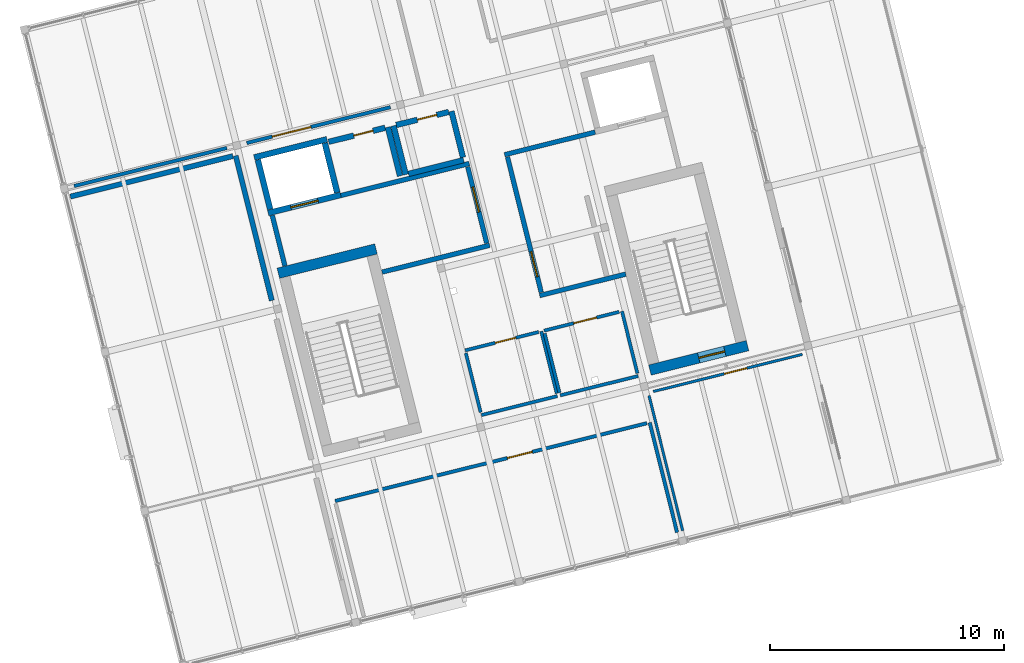
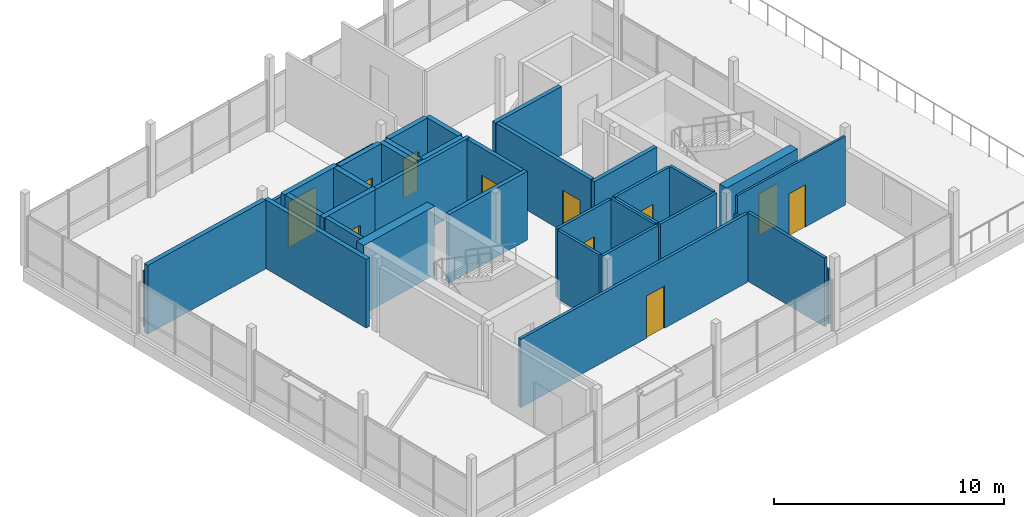
# One storey, part 22 of 24: 35 walls, 11 doors, 11 openings.
"""IFC4 building model written with IfcOpenShell, lengths in metres."""

import ifcopenshell
import ifcopenshell.guid

model = None  # the IFC model being written
_history = None  # IfcOwnerHistory: only IFC2X3 demands one
_inside = {}  # id of a spatial element -> (the spatial element, [elements in it])
_under = {}  # id of a project, library or spatial element -> (it, [spatial elements below it])
_declared = {}  # id of a project -> (the project, [libraries it declares])
_typed = {}  # id of a type object -> (the type object, [elements of that type])
_made_of = {}  # id of a material, layer set ... -> (it, [elements and type objects made of it])


def new_model(schema):
    """Start an empty IFC model of exactly this schema.

    Asked for "IFC4X3", IfcOpenShell would pick the latest addendum, in which some entities
    have other attributes; the version numbers below select the first issue.
    IFC2X3 requires an IfcOwnerHistory on every rooted entity: one is made here for all.
    """
    global model, _history
    if schema == "IFC4X3":
        model = ifcopenshell.file(schema_version=(4, 3, 0, 0))
    else:
        model = ifcopenshell.file(schema=schema)
    _inside.clear()
    _under.clear()
    _declared.clear()
    _typed.clear()
    _made_of.clear()
    _history = None
    if model.schema == "IFC2X3":
        org = make("IfcOrganization", Name="unknown")
        user = make(
            "IfcPersonAndOrganization",
            ThePerson=make("IfcPerson", FamilyName="unknown"),
            TheOrganization=org,
        )
        app = make(
            "IfcApplication",
            ApplicationDeveloper=org,
            Version="unknown",
            ApplicationFullName="unknown",
            ApplicationIdentifier="unknown",
        )
        _history = make(
            "IfcOwnerHistory",
            OwningUser=user,
            OwningApplication=app,
            ChangeAction="ADDED",
            CreationDate=0,
        )
    return model


def make(cls, **values):
    """One entity of the class cls with the attributes given. An attribute that is None is left unset."""
    return model.create_entity(
        cls, **{name: value for name, value in values.items() if value is not None}
    )


def rooted(cls, **values):
    """An entity with a GlobalId (a new one), such as an element, a storey or a relation."""
    return make(cls, GlobalId=ifcopenshell.guid.new(), OwnerHistory=_history, **values)


def si_unit(unit_type, name, prefix=None):
    """IfcSIUnit, for example si_unit("LENGTHUNIT", "METRE", prefix="MILLI")."""
    return make("IfcSIUnit", UnitType=unit_type, Prefix=prefix, Name=name)


def assignment(units):
    """IfcUnitAssignment: the units of a project."""
    return None if units is None else make("IfcUnitAssignment", Units=units)


def point(xyz):
    """IfcCartesianPoint."""
    return None if xyz is None else make("IfcCartesianPoint", Coordinates=xyz)


def direction(xyz):
    """IfcDirection."""
    return None if xyz is None else make("IfcDirection", DirectionRatios=xyz)


def frame(location, z_axis=None, x_axis=None):
    """IfcAxis2Placement3D, a coordinate frame: its origin and axes. An axis left out is left unset."""
    return make(
        "IfcAxis2Placement3D",
        Location=point(location),
        Axis=direction(z_axis),
        RefDirection=direction(x_axis),
    )


def frame_2d(location, x_axis=None):
    """IfcAxis2Placement2D, a coordinate frame in the plane: its origin and x axis."""
    return make(
        "IfcAxis2Placement2D", Location=point(location), RefDirection=direction(x_axis)
    )


def origin():
    """The frame at (0, 0, 0) with its axes left unset."""
    return frame((0.0, 0.0, 0.0))


def place(relative_to, where):
    """IfcLocalPlacement: puts the frame where relative to a parent placement (None: the world)."""
    return make(
        "IfcLocalPlacement", PlacementRelTo=relative_to, RelativePlacement=where
    )


def context(
    kind, dimensions, precision=None, world=None, true_north=None, identifier=None
):
    """IfcGeometricRepresentationContext, for example the 3D "Model" context."""
    return make(
        "IfcGeometricRepresentationContext",
        ContextIdentifier=identifier,
        ContextType=kind,
        CoordinateSpaceDimension=dimensions,
        Precision=precision,
        WorldCoordinateSystem=world,
        TrueNorth=true_north,
    )


def subcontext(parent, identifier, kind, view, scale=None):
    """IfcGeometricRepresentationSubContext, for example "Body" below "Model"."""
    return make(
        "IfcGeometricRepresentationSubContext",
        ContextIdentifier=identifier,
        ContextType=kind,
        ParentContext=parent,
        TargetScale=scale,
        TargetView=view,
    )


def project(units=None, contexts=None):
    """IfcProject with its units and contexts."""
    return rooted(
        "IfcProject",
        Name="project",
        RepresentationContexts=contexts,
        UnitsInContext=assignment(units),
    )


def spatial(cls, under=None, at=None, **own):
    """A site, building, storey or space (cls), placed at a placement, below another one or the project."""
    s = rooted(cls, ObjectPlacement=at, **own)
    if under is not None:
        _under.setdefault(under.id(), (under, []))[1].append(s)
    return s


def profile(cls, at=None, kind="AREA", **sizes):
    """A parametric profile (cls). Its sizes go by their IFC names, for example OverallWidth=200.0."""
    return make(cls, ProfileType=kind, Position=at, **sizes)


def rectangle(**sizes):
    """IfcRectangleProfileDef."""
    return profile("IfcRectangleProfileDef", **sizes)


def extrude(swept, where, along, depth):
    """IfcExtrudedAreaSolid: the profile swept, set in the frame where, extruded along a direction by depth."""
    return make(
        "IfcExtrudedAreaSolid",
        SweptArea=swept,
        Position=where,
        ExtrudedDirection=direction(along),
        Depth=depth,
    )


def shape(context_of_items, identifier, shape_type, items):
    """IfcShapeRepresentation: the items that make up one representation, for example the "Body"."""
    return make(
        "IfcShapeRepresentation",
        ContextOfItems=context_of_items,
        RepresentationIdentifier=identifier,
        RepresentationType=shape_type,
        Items=items,
    )


def material(Name=None, Category=None):
    """IfcMaterial."""
    return make("IfcMaterial", Name=Name, Category=Category)


def layer(
    of_material, thickness, ventilated=None, Name=None, Category=None, Priority=None
):
    """IfcMaterialLayer: one layer of a wall or slab, of a material (None: an air gap)."""
    return make(
        "IfcMaterialLayer",
        Material=of_material,
        LayerThickness=thickness,
        IsVentilated=ventilated,
        Name=Name,
        Category=Category,
        Priority=Priority,
    )


def layer_set(layers, Name=None):
    """IfcMaterialLayerSet."""
    return make("IfcMaterialLayerSet", MaterialLayers=layers, LayerSetName=Name)


def made_of(thing, what):
    """Note that an element or type object is made of a material, layer set ...; save() writes the relation."""
    if what is not None:
        _made_of.setdefault(what.id(), (what, []))[1].append(thing)
    return thing


def type_object(cls, material=None, **own):
    """A type object (cls), such as IfcWallType, which elements share."""
    return made_of(rooted(cls, **own), material)


def element(
    cls,
    number,
    at=None,
    inside=None,
    cuts=None,
    type_object=None,
    material=None,
    context=None,
    identifier="Body",
    shape_type=None,
    held_by="IfcProductDefinitionShape",
    body=None,
    shapes=None,
    **own,
):
    """One element of the class cls, such as IfcWall. Its Tag is "e" and its number.

    at: its placement. inside: the storey or other place that contains it. cuts: it is an
    opening in that element (IfcRelVoidsElement). A single representation is given by context,
    identifier, shape_type and body (its items); several are given by shapes. held_by: the class
    of the entity that holds the representations. save() writes the other relations.
    """
    e = rooted(cls, Tag="e%d" % number, ObjectPlacement=at, **own)
    if body is not None:
        shapes = [shape(context, identifier, shape_type, body)]
    if shapes is not None:
        e.Representation = make(held_by, Representations=shapes)
    if inside is not None:
        _inside.setdefault(inside.id(), (inside, []))[1].append(e)
    if cuts is not None:
        rooted(
            "IfcRelVoidsElement", RelatingBuildingElement=cuts, RelatedOpeningElement=e
        )
    if type_object is not None:
        _typed.setdefault(type_object.id(), (type_object, []))[1].append(e)
    return made_of(e, material)


def fill(opening, filler):
    """IfcRelFillsElement: the door or window that sits in an opening."""
    return rooted(
        "IfcRelFillsElement",
        RelatingOpeningElement=opening,
        RelatedBuildingElement=filler,
    )


def aggregate(whole, parts):
    """IfcRelAggregates: a whole, such as a stair, and the parts it consists of."""
    return rooted("IfcRelAggregates", RelatingObject=whole, RelatedObjects=parts)


def save(model, path):
    """Write the relations noted so far, then the file.

    IfcRelAggregates (storeys below a building ...), IfcRelContainedInSpatialStructure (elements
    in a storey), IfcRelDefinesByType, IfcRelAssociatesMaterial and IfcRelDeclares: one each for
    every whole, place, type object, material and project.
    """
    for whole, parts in _under.values():
        aggregate(whole, parts)
    for where, things in _inside.values():
        rooted(
            "IfcRelContainedInSpatialStructure",
            RelatedElements=things,
            RelatingStructure=where,
        )
    for kind, things in _typed.values():
        rooted("IfcRelDefinesByType", RelatedObjects=things, RelatingType=kind)
    for what, things in _made_of.values():
        rooted("IfcRelAssociatesMaterial", RelatedObjects=things, RelatingMaterial=what)
    for by, libraries in _declared.values():
        rooted("IfcRelDeclares", RelatingContext=by, RelatedDefinitions=libraries)
    model.write(path)


model = new_model("IFC4")

# Units and contexts
model_context = context("Model", 3, precision=1e-05, world=origin(), true_north=direction((0.0, 1.0)))
body_context = subcontext(model_context, "Body", "Model", "MODEL_VIEW")
ifc_project = project(units=[si_unit("LENGTHUNIT", "METRE"), si_unit("AREAUNIT", "SQUARE_METRE"), si_unit("VOLUMEUNIT", "CUBIC_METRE"), si_unit("PLANEANGLEUNIT", "RADIAN"), si_unit("MASSUNIT", "GRAM", prefix="KILO")], contexts=[model_context])

# Site, building, storey
site_placement = place(None, origin())
site = spatial("IfcSite", under=ifc_project, at=site_placement, CompositionType="ELEMENT")
building_placement = place(site_placement, origin())
building = spatial("IfcBuilding", under=site, at=building_placement, Name="Meriwether Solvik Hall", CompositionType="ELEMENT")
storey_placement = place(building_placement, frame((0.0, 0.0, 57.300048828125)))
storey = spatial("IfcBuildingStorey", under=building, at=storey_placement, Name="L14", CompositionType="ELEMENT", Elevation=57.300048828125)

# Walls
ifc_material_1 = material(Name="Acoustic Mineral-Wool Double Gypsum Board", Category="gypsum")
ifc_layer_1 = layer(ifc_material_1, 0.219970703125)
ifc_layer_set_1 = layer_set([ifc_layer_1], Name="Acoustic Mineral-Wool Double Gypsum Board")
wall_type_1 = type_object("IfcWallType", Name="WALL-ACST-220", PredefinedType="PARTITIONING", material=ifc_layer_set_1)
wall_1_placement = place(storey_placement, frame((72.39013671875, 56.793701171875, 0.0), z_axis=(0.0, 0.0, 1.0), x_axis=(-0.241922822951, 0.970295495061, 0.0)))
element("IfcWall", 1, at=wall_1_placement, inside=storey, type_object=wall_type_1, Name="L14 Interior Partition board_14_e_s3", PredefinedType="PARTITIONING", context=body_context, shape_type="SweptSolid", body=[
    extrude(rectangle(XDim=6.375, YDim=0.219970703125, at=frame_2d((3.1875, 0.0))), origin(), (0.0, 0.0, 1.0), 3.655029296875),
])
wall_2_placement = place(storey_placement, frame((70.728759765625, 62.96142578125, 0.0), z_axis=(0.0, 0.0, 1.0), x_axis=(-0.970292920146, -0.241933150092, 0.0)))
element("IfcWall", 2, at=wall_2_placement, inside=storey, type_object=wall_type_1, Name="L14 Interior Partition board_14_n", PredefinedType="PARTITIONING", context=body_context, shape_type="SweptSolid", body=[
    extrude(rectangle(XDim=7.151611328125, YDim=0.219970703125, at=frame_2d((3.57568359375, 0.0))), origin(), (0.0, 0.0, 1.0), 3.655029296875),
])
ifc_material_2 = material(Name="Fire-Rated Type X Gypsum Board", Category="gypsum")
ifc_layer_2 = layer(ifc_material_2, 0.199951171875)
ifc_layer_set_2 = layer_set([ifc_layer_2], Name="Fire-Rated Type X Gypsum Board")
wall_type_2 = type_object("IfcWallType", Name="WALL-FIRE-200", PredefinedType="STANDARD", material=ifc_layer_set_2)
wall_3_placement = place(storey_placement, frame((72.94970703125, 58.269287109375, 0.0), z_axis=(0.0, 0.0, 1.0), x_axis=(-0.24194311862, 0.970290434536, 0.0)))
element("IfcWall", 3, at=wall_3_placement, inside=storey, type_object=wall_type_2, Name="L14 Interior Partition lb1_w", PredefinedType="STANDARD", context=body_context, shape_type="SweptSolid", body=[
    extrude(rectangle(XDim=2.22998046875, YDim=0.199951171875, at=frame_2d((1.114990234375, 0.0))), origin(), (0.0, 0.0, 1.0), 3.655029296875),
])
wall_4_placement = place(storey_placement, frame((77.096923828125, 58.0048828125, 0.0), z_axis=(0.0, 0.0, 1.0), x_axis=(0.970305892741, 0.241881116483, 0.0)))
element("IfcWall", 4, at=wall_4_placement, inside=storey, type_object=wall_type_2, Name="L14 Interior Partition lb1_s", PredefinedType="STANDARD", context=body_context, shape_type="SweptSolid", body=[
    extrude(rectangle(XDim=4.73974609375, YDim=0.199951171875, at=frame_2d((2.369873046875, 0.0))), origin(), (0.0, 0.0, 1.0), 3.655029296875),
])
wall_5_placement = place(storey_placement, frame((75.24609375, 61.25341796875, 0.0), z_axis=(0.0, 0.0, 1.0), x_axis=(0.970292173201, 0.24193614576, 0.0)))
element("IfcWall", 5, at=wall_5_placement, inside=storey, type_object=wall_type_2, Name="L14 Interior Partition lb1_n_cap", PredefinedType="STANDARD", context=body_context, shape_type="SweptSolid", body=[
    extrude(rectangle(XDim=5.75, YDim=0.199951171875, at=frame_2d((2.875, 0.0))), origin(), (0.0, 0.0, 1.0), 3.655029296875),
])

# Wall, opening, door
wall_6_placement = place(storey_placement, frame((80.75732421875, 62.50390625, 0.0), z_axis=(0.0, 0.0, 1.0), x_axis=(0.241885902723, -0.970304699599, 0.0)))
wall_6 = element("IfcWall", 6, at=wall_6_placement, inside=storey, type_object=wall_type_2, Name="L14 Interior Partition lb1_e", PredefinedType="STANDARD", context=body_context, shape_type="SweptSolid", body=[
    extrude(rectangle(XDim=3.360107421875, YDim=0.199951171875, at=frame_2d((1.68017578125, 0.0))), origin(), (0.0, 0.0, 1.0), 3.655029296875),
])
opening_1_placement = place(wall_6_placement, frame((0.889892578125, 0.0, 0.0)))
opening_1 = element("IfcOpeningElement", 7, at=opening_1_placement, cuts=wall_6, Name="Opening D-168", PredefinedType="OPENING", context=body_context, shape_type="SweptSolid", body=[
    extrude(rectangle(XDim=1.10009765625, YDim=2.199951171875, at=frame_2d((0.550048828125, 1.10009765625))), frame((0.0, 0.11181640625, 0.0), z_axis=(0.0, -1.0, 0.0), x_axis=(1.0, 0.0, 0.0)), (0.0, 0.0, 1.0), 0.223876953125),
])
ifc_material_3 = material(Name="Steel A36 Galvanised", Category="steel")
door_type_1 = type_object("IfcDoorType", Name="DR-FD60-1100L", OperationType="SINGLE_SWING_LEFT", PredefinedType="DOOR", material=ifc_material_3)
door_1_placement = place(opening_1_placement, origin())
door_1 = element("IfcDoor", 8, at=door_1_placement, inside=storey, type_object=door_type_1, Name="West FSAE Lift Lobby Door (L14)", OperationType="SINGLE_SWING_LEFT", OverallHeight=2.199951171875, OverallWidth=1.10009765625, PredefinedType="DOOR", context=body_context, shape_type="SweptSolid", body=[
    extrude(rectangle(XDim=1.10009765625, YDim=2.199951171875, at=frame_2d((0.550048828125, 1.10009765625))), frame((0.0, 0.02490234375, 0.0), z_axis=(0.0, -1.0, 0.0), x_axis=(1.0, 0.0, 0.0)), (0.0, 0.0, 1.0), 0.050048828125),
])
fill(opening_1, door_1)

# Walls
wall_7_placement = place(storey_placement, frame((83.8291015625, 57.003662109375, 0.0), z_axis=(0.0, 0.0, 1.0), x_axis=(0.970290096712, 0.241944473428, 0.0)))
element("IfcWall", 9, at=wall_7_placement, inside=storey, type_object=wall_type_2, Name="L14 Interior Partition lb2_s_w", PredefinedType="STANDARD", context=body_context, shape_type="SweptSolid", body=[
    extrude(rectangle(XDim=3.7900390625, YDim=0.199951171875, at=frame_2d((1.89501953125, 0.0))), origin(), (0.0, 0.0, 1.0), 3.655029296875),
])
wall_8_placement = place(storey_placement, frame((82.3291015625, 63.01953125, 0.0), z_axis=(0.0, 0.0, 1.0), x_axis=(0.970293478038, 0.24193091261, 0.0)))
element("IfcWall", 10, at=wall_8_placement, inside=storey, type_object=wall_type_2, Name="L14 Interior Partition lb2_n_cap", PredefinedType="STANDARD", context=body_context, shape_type="SweptSolid", body=[
    extrude(rectangle(XDim=3.990234375, YDim=0.199951171875, at=frame_2d((1.9951171875, 0.0))), origin(), (0.0, 0.0, 1.0), 3.655029296875),
])

# Wall, opening, door
wall_9_placement = place(storey_placement, frame((83.897216796875, 57.144287109375, 0.0), z_axis=(0.0, 0.0, 1.0), x_axis=(-0.241928359082, 0.970294114726, 0.0)))
wall_9 = element("IfcWall", 11, at=wall_9_placement, inside=storey, type_object=wall_type_2, Name="L14 Interior Partition lb2_w", PredefinedType="STANDARD", context=body_context, shape_type="SweptSolid", body=[
    extrude(rectangle(XDim=5.9599609375, YDim=0.199951171875, at=frame_2d((2.97998046875, 0.0))), origin(), (0.0, 0.0, 1.0), 3.655029296875),
])
opening_2_placement = place(wall_9_placement, frame((0.68994140625, 0.0, 0.0)))
opening_2 = element("IfcOpeningElement", 12, at=opening_2_placement, cuts=wall_9, Name="Opening D-142", PredefinedType="OPENING", context=body_context, shape_type="SweptSolid", body=[
    extrude(rectangle(XDim=1.10009765625, YDim=2.199951171875, at=frame_2d((0.550048828125, 1.10009765625))), frame((0.0, 0.11181640625, 0.0), z_axis=(0.0, -1.0, 0.0), x_axis=(1.0, 0.0, 0.0)), (0.0, 0.0, 1.0), 0.223876953125),
])
ifc_material_4 = material(Name="Steel A36 Galvanised", Category="steel")
door_type_2 = type_object("IfcDoorType", Name="DR-FD60-1100R", OperationType="SINGLE_SWING_RIGHT", PredefinedType="DOOR", material=ifc_material_4)
door_2_placement = place(opening_2_placement, origin())
door_2 = element("IfcDoor", 13, at=door_2_placement, inside=storey, type_object=door_type_2, Name="East FSAE Lift Lobby Door (L14)", OperationType="SINGLE_SWING_RIGHT", OverallHeight=2.199951171875, OverallWidth=1.10009765625, PredefinedType="DOOR", context=body_context, shape_type="SweptSolid", body=[
    extrude(rectangle(XDim=1.10009765625, YDim=2.199951171875, at=frame_2d((0.550048828125, 1.10009765625))), frame((0.0, 0.02490234375, 0.0), z_axis=(0.0, -1.0, 0.0), x_axis=(1.0, 0.0, 0.0)), (0.0, 0.0, 1.0), 0.050048828125),
])
fill(opening_2, door_2)

ifc_material_5 = material(Name="Tempered Laminated Glass in Anodised Aluminium Frame", Category="aluminium")
ifc_layer_3 = layer(ifc_material_5, 0.112060546875)
ifc_layer_set_3 = layer_set([ifc_layer_3], Name="Tempered Laminated Glass in Anodised Aluminium Frame")
wall_type_3 = type_object("IfcWallType", Name="WALL-GLZ-112", PredefinedType="PARTITIONING", material=ifc_layer_set_3)
wall_10_placement = place(storey_placement, frame((95.048583984375, 54.493408203125, 0.0), z_axis=(0.0, 0.0, 1.0), x_axis=(-0.970297738751, -0.241913823861, 0.0)))
wall_10 = element("IfcWall", 14, at=wall_10_placement, inside=storey, type_object=wall_type_3, Name="L14 Interior Partition exec_14se_n", PredefinedType="PARTITIONING", context=body_context, shape_type="SweptSolid", body=[
    extrude(rectangle(XDim=6.559814453125, YDim=0.112060546875, at=frame_2d((3.27978515625, 0.0))), origin(), (0.0, 0.0, 1.0), 3.655029296875),
])
opening_3_placement = place(wall_10_placement, frame((2.436767578125, 0.0, 0.0)))
opening_3 = element("IfcOpeningElement", 15, at=opening_3_placement, cuts=wall_10, Name="Opening D-166", PredefinedType="OPENING", context=body_context, shape_type="SweptSolid", body=[
    extrude(rectangle(XDim=1.0, YDim=2.25, at=frame_2d((0.5, 1.125))), frame((0.0, 0.06787109375, 0.0), z_axis=(0.0, -1.0, 0.0), x_axis=(1.0, 0.0, 0.0)), (0.0, 0.0, 1.0), 0.135986328125),
])
ifc_material_6 = material(Name="Laminated Vision Glass and Solid White Oak Timber", Category="wood")
door_type_3 = type_object("IfcDoorType", Name="DR-OFF-1000L", OperationType="SINGLE_SWING_LEFT", PredefinedType="DOOR", material=ifc_material_6)
door_3_placement = place(opening_3_placement, origin())
door_3 = element("IfcDoor", 16, at=door_3_placement, inside=storey, type_object=door_type_3, Name="L14 Executive Sky-Terrace Office Door", OperationType="SINGLE_SWING_LEFT", OverallHeight=2.25, OverallWidth=1.0, PredefinedType="DOOR", context=body_context, shape_type="SweptSolid", body=[
    extrude(rectangle(XDim=1.0, YDim=2.25, at=frame_2d((0.5, 1.125))), frame((0.0, 0.02490234375, 0.0), z_axis=(0.0, -1.0, 0.0), x_axis=(1.0, 0.0, 0.0)), (0.0, 0.0, 1.0), 0.050048828125),
])
fill(opening_3, door_3)

# Walls
wall_11_placement = place(storey_placement, frame((88.501708984375, 52.730712890625, 0.0), z_axis=(0.0, 0.0, 1.0), x_axis=(0.241897899568, -0.970301708843, 0.0)))
element("IfcWall", 17, at=wall_11_placement, inside=storey, type_object=wall_type_3, Name="L14 Interior Partition exec_14se_w", PredefinedType="PARTITIONING", context=body_context, shape_type="SweptSolid", body=[
    extrude(rectangle(XDim=5.945556640625, YDim=0.112060546875, at=frame_2d((2.97265625, 0.0))), origin(), (0.0, 0.0, 1.0), 2.89501953125),
])
ifc_material_7 = material(Name="Concrete C40/50", Category="concrete")
ifc_layer_4 = layer(ifc_material_7, 0.25)
ifc_layer_set_4 = layer_set([ifc_layer_4], Name="Concrete C40/50")
wall_type_4 = type_object("IfcWallType", Name="WALL-HOIST-250", PredefinedType="SHEAR", material=ifc_layer_set_4)
wall_12_placement = place(storey_placement, frame((74.744384765625, 63.67919921875, 0.0), z_axis=(0.0, 0.0, 1.0), x_axis=(-0.970294894235, -0.241925232711, 0.0)))
element("IfcWall", 18, at=wall_12_placement, inside=storey, type_object=wall_type_4, Name="Hoistway BANK1 North Wall (L14)", PredefinedType="SHEAR", context=body_context, shape_type="SweptSolid", body=[
    extrude(rectangle(XDim=3.199951171875, YDim=0.25, at=frame_2d((1.60009765625, 0.0))), origin(), (0.0, 0.0, 1.0), 3.655029296875),
])
for number, where, z_axis, x_axis, name in (
    (19, (71.793212890625, 62.80419921875, 0.0), (0.0, 0.0, 1.0), (0.242008581424, -0.970274108959, 0.0), "Hoistway BANK1 West Wall (L14)"),
    (20, (75.18310546875, 61.402587890625, 0.0), (0.0, 0.0, 1.0), (-0.241903146974, 0.970300400641, 0.0), "Hoistway BANK1 East Wall (L14)"),
):
    element("IfcWall", number, at=place(storey_placement, frame(where, z_axis=z_axis, x_axis=x_axis)), inside=storey, type_object=wall_type_4, Name=name, PredefinedType="SHEAR", context=body_context, shape_type="SweptSolid", body=[
        extrude(rectangle(XDim=2.179931640625, YDim=0.25, at=frame_2d((1.08984375, 0.0))), origin(), (0.0, 0.0, 1.0), 3.655029296875),
    ])

# Wall, opening, door
wall_13_placement = place(storey_placement, frame((72.232177734375, 60.52783203125, 0.0), z_axis=(0.0, 0.0, 1.0), x_axis=(0.970290428474, 0.241943142934, 0.0)))
wall_13 = element("IfcWall", 21, at=wall_13_placement, inside=storey, type_object=wall_type_4, Name="Lift LF-01 Landing Wall (L14)", PredefinedType="SHEAR", context=body_context, shape_type="SweptSolid", body=[
    extrude(rectangle(XDim=3.19970703125, YDim=0.25, at=frame_2d((1.599853515625, 0.0))), origin(), (0.0, 0.0, 1.0), 3.655029296875),
])
opening_4_placement = place(wall_13_placement, frame((1.0, 0.0, 0.0)))
opening_4 = element("IfcOpeningElement", 22, at=opening_4_placement, cuts=wall_13, Name="Opening LD-01", PredefinedType="OPENING", context=body_context, shape_type="SweptSolid", body=[
    extrude(rectangle(XDim=1.199951171875, YDim=2.199951171875, at=frame_2d((0.60009765625, 1.10009765625))), frame((0.0, 0.136962890625, 0.0), z_axis=(0.0, -1.0, 0.0), x_axis=(1.0, 0.0, 0.0)), (0.0, 0.0, 1.0), 0.27392578125),
])
ifc_material_8 = material(Name="Stainless Steel AISI 316", Category="steel")
door_type_4 = type_object("IfcDoorType", Name="DR-LIFT-FSAE", OperationType="DOUBLE_DOOR_SLIDING", PredefinedType="DOOR", material=ifc_material_8)
door_4_placement = place(opening_4_placement, origin())
door_4 = element("IfcDoor", 23, at=door_4_placement, inside=storey, type_object=door_type_4, Name="Lift Landing Door LF-01 (L14)", OperationType="DOUBLE_DOOR_SLIDING", OverallHeight=2.199951171875, OverallWidth=1.199951171875, PredefinedType="DOOR", context=body_context, shape_type="SweptSolid", body=[
    extrude(rectangle(XDim=1.199951171875, YDim=2.199951171875, at=frame_2d((0.60009765625, 1.10009765625))), frame((0.0, 0.02490234375, 0.0), z_axis=(0.0, -1.0, 0.0), x_axis=(1.0, 0.0, 0.0)), (0.0, 0.0, 1.0), 0.050048828125),
])
fill(opening_4, door_4)

# Wall
ifc_material_9 = material(Name="Gypsum Board Partition", Category="gypsum")
ifc_layer_5 = layer(ifc_material_9, 0.14990234375)
ifc_layer_set_5 = layer_set([ifc_layer_5], Name="Gypsum Board Partition")
wall_type_5 = type_object("IfcWallType", Name="WALL-PART-150", PredefinedType="PARTITIONING", material=ifc_layer_set_5)
wall_14_placement = place(storey_placement, frame((63.945068359375, 61.682373046875, 0.0), z_axis=(0.0, 0.0, 1.0), x_axis=(0.970296103345, 0.241920383252, 0.0)))
element("IfcWall", 24, at=wall_14_placement, inside=storey, type_object=wall_type_5, Name="L14 Interior Partition read_14n_s", PredefinedType="PARTITIONING", context=body_context, shape_type="SweptSolid", body=[
    extrude(rectangle(XDim=6.72314453125, YDim=0.14990234375, at=frame_2d((3.361572265625, 0.0))), origin(), (0.0, 0.0, 1.0), 2.969970703125),
])

# Wall, opening, door
wall_15_placement = place(storey_placement, frame((71.3193359375, 63.52099609375, 0.0), z_axis=(0.0, 0.0, 1.0), x_axis=(0.970301279298, 0.241899622555, 0.0)))
wall_15 = element("IfcWall", 25, at=wall_15_placement, inside=storey, type_object=wall_type_5, Name="L14 Interior Partition read_14n_s_s2", PredefinedType="PARTITIONING", context=body_context, shape_type="SweptSolid", body=[
    extrude(rectangle(XDim=6.322998046875, YDim=0.14990234375, at=frame_2d((3.16162109375, 0.0))), origin(), (0.0, 0.0, 1.0), 2.969970703125),
])
opening_5_placement = place(wall_15_placement, frame((1.125244140625, 0.0, 0.0)))
opening_5 = element("IfcOpeningElement", 26, at=opening_5_placement, cuts=wall_15, Name="Opening D-114", PredefinedType="OPENING", context=body_context, shape_type="SweptSolid", body=[
    extrude(rectangle(XDim=1.699951171875, YDim=2.39990234375, at=frame_2d((0.85009765625, 1.199951171875))), frame((0.0, 0.0869140625, 0.0), z_axis=(0.0, -1.0, 0.0), x_axis=(1.0, 0.0, 0.0)), (0.0, 0.0, 1.0), 0.173828125),
])
ifc_material_10 = material(Name="Laminated Vision Glass and Solid White Oak Timber", Category="wood")
door_type_5 = type_object("IfcDoorType", Name="DR-GAL-1700", OperationType="DOUBLE_DOOR_SINGLE_SWING", PredefinedType="DOOR", material=ifc_material_10)
door_5_placement = place(opening_5_placement, origin())
door_5 = element("IfcDoor", 27, at=door_5_placement, inside=storey, type_object=door_type_5, Name="L14 Scholars Quiet Reading Gallery Door", OperationType="DOUBLE_DOOR_SINGLE_SWING", OverallHeight=2.39990234375, OverallWidth=1.699951171875, PredefinedType="DOOR", context=body_context, shape_type="SweptSolid", body=[
    extrude(rectangle(XDim=1.699951171875, YDim=2.39990234375, at=frame_2d((0.85009765625, 1.199951171875))), frame((0.0, 0.02490234375, 0.0), z_axis=(0.0, -1.0, 0.0), x_axis=(1.0, 0.0, 0.0)), (0.0, 0.0, 1.0), 0.050048828125),
])
fill(opening_5, door_5)

# Wall
wall_16_placement = place(storey_placement, frame((89.700927734375, 46.88720703125, 0.0), z_axis=(0.0, 0.0, 1.0), x_axis=(-0.24194171914, 0.970290783497, 0.0)))
element("IfcWall", 28, at=wall_16_placement, inside=storey, type_object=wall_type_5, Name="L14 Interior Partition exec_14s_e", PredefinedType="PARTITIONING", context=body_context, shape_type="SweptSolid", body=[
    extrude(rectangle(XDim=4.836669921875, YDim=0.14990234375, at=frame_2d((2.41845703125, 0.0))), origin(), (0.0, 0.0, 1.0), 3.655029296875),
])

# Wall, opening, door
wall_17_placement = place(storey_placement, frame((88.41455078125, 51.551025390625, 0.0), z_axis=(0.0, 0.0, 1.0), x_axis=(-0.970297105576, -0.241916363461, 0.0)))
wall_17 = element("IfcWall", 29, at=wall_17_placement, inside=storey, type_object=wall_type_5, Name="L14 Interior Partition exec_14s_n", PredefinedType="PARTITIONING", context=body_context, shape_type="SweptSolid", body=[
    extrude(rectangle(XDim=13.72998046875, YDim=0.14990234375, at=frame_2d((6.864990234375, 0.0))), origin(), (0.0, 0.0, 1.0), 3.655029296875),
])
opening_6_placement = place(wall_17_placement, frame((5.0458984375, 0.0, 0.0)))
opening_6 = element("IfcOpeningElement", 30, at=opening_6_placement, cuts=wall_17, Name="Opening D-134", PredefinedType="OPENING", context=body_context, shape_type="SweptSolid", body=[
    extrude(rectangle(XDim=1.10009765625, YDim=2.25, at=frame_2d((0.550048828125, 1.125))), frame((0.0, 0.0869140625, 0.0), z_axis=(0.0, -1.0, 0.0), x_axis=(1.0, 0.0, 0.0)), (0.0, 0.0, 1.0), 0.173828125),
])
ifc_material_11 = material(Name="Laminated Vision Glass and Solid White Oak Timber", Category="wood")
door_type_6 = type_object("IfcDoorType", Name="DR-CLS-1100L", OperationType="SINGLE_SWING_LEFT", PredefinedType="DOOR", material=ifc_material_11)
door_6_placement = place(opening_6_placement, origin())
door_6 = element("IfcDoor", 31, at=door_6_placement, inside=storey, type_object=door_type_6, Name="L14 Interfaith Dialogue Classroom Door", OperationType="SINGLE_SWING_LEFT", OverallHeight=2.25, OverallWidth=1.10009765625, PredefinedType="DOOR", context=body_context, shape_type="SweptSolid", body=[
    extrude(rectangle(XDim=1.10009765625, YDim=2.25, at=frame_2d((0.550048828125, 1.125))), frame((0.0, 0.02490234375, 0.0), z_axis=(0.0, -1.0, 0.0), x_axis=(1.0, 0.0, 0.0)), (0.0, 0.0, 1.0), 0.050048828125),
])
fill(opening_6, door_6)

# Wall
ifc_material_12 = material(Name="Concrete C45/55", Category="concrete")
ifc_layer_6 = layer(ifc_material_12, 0.449951171875)
ifc_layer_set_6 = layer_set([ifc_layer_6], Name="Concrete C45/55")
wall_type_6 = type_object("IfcWallType", Name="WALL-RC-450", PredefinedType="SHEAR", material=ifc_layer_set_6)
wall_18_placement = place(storey_placement, frame((76.83935546875, 58.996826171875, 0.0), z_axis=(0.0, 0.0, 1.0), x_axis=(-0.970295933763, -0.241921063415, 0.0)))
element("IfcWall", 32, at=wall_18_placement, inside=storey, type_object=wall_type_6, Name="CORE-1 Shear Wall N (L14)", PredefinedType="SHEAR", context=body_context, shape_type="SweptSolid", body=[
    extrude(rectangle(XDim=4.300048828125, YDim=0.449951171875, at=frame_2d((2.14990234375, 0.0))), origin(), (0.0, 0.0, 1.0), 3.655029296875),
])

# Wall, opening, door
wall_19_placement = place(storey_placement, frame((88.538330078125, 53.823486328125, 0.0), z_axis=(0.0, 0.0, 1.0), x_axis=(0.970295933763, 0.241921063415, 0.0)))
wall_19 = element("IfcWall", 33, at=wall_19_placement, inside=storey, type_object=wall_type_6, Name="CORE-2 Shear Wall S (L14)", PredefinedType="SHEAR", context=body_context, shape_type="SweptSolid", body=[
    extrude(rectangle(XDim=4.300048828125, YDim=0.449951171875, at=frame_2d((2.14990234375, 0.0))), origin(), (0.0, 0.0, 1.0), 3.655029296875),
])
opening_7_placement = place(wall_19_placement, frame((2.14990234375, 0.0, 0.0)))
opening_7 = element("IfcOpeningElement", 34, at=opening_7_placement, cuts=wall_19, Name="Opening D-148", PredefinedType="OPENING", context=body_context, shape_type="SweptSolid", body=[
    extrude(rectangle(XDim=1.14990234375, YDim=2.199951171875, at=frame_2d((0.574951171875, 1.10009765625))), frame((0.0, 0.23681640625, 0.0), z_axis=(0.0, -1.0, 0.0), x_axis=(1.0, 0.0, 0.0)), (0.0, 0.0, 1.0), 0.473876953125),
])
ifc_material_13 = material(Name="Steel A36 Galvanised", Category="steel")
door_type_7 = type_object("IfcDoorType", Name="DR-FD90-1150R", OperationType="SINGLE_SWING_RIGHT", PredefinedType="DOOR", material=ifc_material_13)
door_7_placement = place(opening_7_placement, origin())
door_7 = element("IfcDoor", 35, at=door_7_placement, inside=storey, type_object=door_type_7, Name="Stair ST-02 Smokeproof Exit Door (L14)", OperationType="SINGLE_SWING_RIGHT", OverallHeight=2.199951171875, OverallWidth=1.14990234375, PredefinedType="DOOR", context=body_context, shape_type="SweptSolid", body=[
    extrude(rectangle(XDim=1.14990234375, YDim=2.199951171875, at=frame_2d((0.574951171875, 1.10009765625))), frame((0.0, 0.02490234375, 0.0), z_axis=(0.0, -1.0, 0.0), x_axis=(1.0, 0.0, 0.0)), (0.0, 0.0, 1.0), 0.050048828125),
])
fill(opening_7, door_7)

# Wall
ifc_material_14 = material(Name="Concrete C35/45", Category="concrete")
ifc_layer_7 = layer(ifc_material_14, 0.239990234375)
ifc_layer_set_7 = layer_set([ifc_layer_7], Name="Concrete C35/45")
wall_type_7 = type_object("IfcWallType", Name="WALL-SHAFT-240", PredefinedType="STANDARD", material=ifc_layer_set_7)
wall_20_placement = place(storey_placement, frame((77.865966796875, 62.11279296875, 0.0), z_axis=(0.0, 0.0, 1.0), x_axis=(-0.2418676095, 0.970309259708, 0.0)))
element("IfcWall", 36, at=wall_20_placement, inside=storey, type_object=wall_type_7, Name="L14 Interior Partition riser1_e", PredefinedType="STANDARD", context=body_context, shape_type="SweptSolid", body=[
    extrude(rectangle(XDim=2.14990234375, YDim=0.239990234375, at=frame_2d((1.074951171875, 0.0))), origin(), (0.0, 0.0, 1.0), 3.655029296875),
])

# Wall, opening, door
wall_21_placement = place(storey_placement, frame((77.2294921875, 64.169921875, 0.0), z_axis=(0.0, 0.0, 1.0), x_axis=(-0.970310192441, -0.241863867589, 0.0)))
wall_21 = element("IfcWall", 37, at=wall_21_placement, inside=storey, type_object=wall_type_7, Name="L14 Interior Partition riser1_n", PredefinedType="STANDARD", context=body_context, shape_type="SweptSolid", body=[
    extrude(rectangle(XDim=2.480224609375, YDim=0.239990234375, at=frame_2d((1.240234375, 0.0))), origin(), (0.0, 0.0, 1.0), 3.655029296875),
])
opening_8_placement = place(wall_21_placement, frame((0.530029296875, 0.0, 0.0)))
opening_8 = element("IfcOpeningElement", 38, at=opening_8_placement, cuts=wall_21, Name="Opening D-102", PredefinedType="OPENING", context=body_context, shape_type="SweptSolid", body=[
    extrude(rectangle(XDim=0.85009765625, YDim=2.10009765625, at=frame_2d((0.425048828125, 1.050048828125))), frame((0.0, 0.1318359375, 0.0), z_axis=(0.0, -1.0, 0.0), x_axis=(1.0, 0.0, 0.0)), (0.0, 0.0, 1.0), 0.263916015625),
])
ifc_material_15 = material(Name="Steel A36 Galvanised", Category="steel")
door_type_8 = type_object("IfcDoorType", Name="DR-FD60-850L", OperationType="SINGLE_SWING_LEFT", PredefinedType="DOOR", material=ifc_material_15)
door_8_placement = place(opening_8_placement, origin())
door_8 = element("IfcDoor", 39, at=door_8_placement, inside=storey, type_object=door_type_8, Name="Telecom Riser Closet Door (L14)", OperationType="SINGLE_SWING_LEFT", OverallHeight=2.10009765625, OverallWidth=0.85009765625, PredefinedType="DOOR", context=body_context, shape_type="SweptSolid", body=[
    extrude(rectangle(XDim=0.85009765625, YDim=2.10009765625, at=frame_2d((0.425048828125, 1.050048828125))), frame((0.0, 0.02490234375, 0.0), z_axis=(0.0, -1.0, 0.0), x_axis=(1.0, 0.0, 0.0)), (0.0, 0.0, 1.0), 0.050048828125),
])
fill(opening_8, door_8)

# Walls
wall_22_placement = place(storey_placement, frame((77.58837890625, 64.259521484375, 0.0), z_axis=(0.0, 0.0, 1.0), x_axis=(0.241974515127, -0.970282605239, 0.0)))
element("IfcWall", 40, at=wall_22_placement, inside=storey, type_object=wall_type_7, Name="L14 Interior Partition riser2_w", PredefinedType="STANDARD", context=body_context, shape_type="SweptSolid", body=[
    extrude(rectangle(XDim=2.150146484375, YDim=0.239990234375, at=frame_2d((1.0751953125, 0.0))), origin(), (0.0, 0.0, 1.0), 3.655029296875),
])
wall_23_placement = place(storey_placement, frame((78.22509765625, 62.202392578125, 0.0), z_axis=(0.0, 0.0, 1.0), x_axis=(0.970290077921, 0.241944548787, 0.0)))
element("IfcWall", 41, at=wall_23_placement, inside=storey, type_object=wall_type_7, Name="L14 Interior Partition riser2_s", PredefinedType="STANDARD", context=body_context, shape_type="SweptSolid", body=[
    extrude(rectangle(XDim=2.429931640625, YDim=0.239990234375, at=frame_2d((1.21484375, 0.0))), origin(), (0.0, 0.0, 1.0), 3.655029296875),
])
wall_24_placement = place(storey_placement, frame((80.5537109375, 62.90673828125, 0.0), z_axis=(0.0, 0.0, 1.0), x_axis=(-0.241856412256, 0.97031205076, 0.0)))
element("IfcWall", 42, at=wall_24_placement, inside=storey, type_object=wall_type_7, Name="L14 Interior Partition riser2_e", PredefinedType="STANDARD", context=body_context, shape_type="SweptSolid", body=[
    extrude(rectangle(XDim=2.030029296875, YDim=0.239990234375, at=frame_2d((1.01513671875, 0.0))), origin(), (0.0, 0.0, 1.0), 3.655029296875),
])

# Wall, opening, door
wall_25_placement = place(storey_placement, frame((79.9462890625, 64.847412109375, 0.0), z_axis=(0.0, 0.0, 1.0), x_axis=(-0.970297720672, -0.241913896375, 0.0)))
wall_25 = element("IfcWall", 43, at=wall_25_placement, inside=storey, type_object=wall_type_7, Name="L14 Interior Partition riser2_n", PredefinedType="STANDARD", context=body_context, shape_type="SweptSolid", body=[
    extrude(rectangle(XDim=2.31005859375, YDim=0.239990234375, at=frame_2d((1.155029296875, 0.0))), origin(), (0.0, 0.0, 1.0), 3.655029296875),
])
opening_9_placement = place(wall_25_placement, frame((0.530029296875, 0.0, 0.0)))
opening_9 = element("IfcOpeningElement", 44, at=opening_9_placement, cuts=wall_25, Name="Opening D-186", PredefinedType="OPENING", context=body_context, shape_type="SweptSolid", body=[
    extrude(rectangle(XDim=0.85009765625, YDim=2.10009765625, at=frame_2d((0.425048828125, 1.050048828125))), frame((0.0, 0.1318359375, 0.0), z_axis=(0.0, -1.0, 0.0), x_axis=(1.0, 0.0, 0.0)), (0.0, 0.0, 1.0), 0.263916015625),
])
ifc_material_16 = material(Name="Steel A36 Galvanised", Category="steel")
door_type_9 = type_object("IfcDoorType", Name="DR-FD60-850R", OperationType="SINGLE_SWING_RIGHT", PredefinedType="DOOR", material=ifc_material_16)
door_9_placement = place(opening_9_placement, origin())
door_9 = element("IfcDoor", 45, at=door_9_placement, inside=storey, type_object=door_type_9, Name="Electrical Riser Closet Door (L14)", OperationType="SINGLE_SWING_RIGHT", OverallHeight=2.10009765625, OverallWidth=0.85009765625, PredefinedType="DOOR", context=body_context, shape_type="SweptSolid", body=[
    extrude(rectangle(XDim=0.85009765625, YDim=2.10009765625, at=frame_2d((0.425048828125, 1.050048828125))), frame((0.0, 0.02490234375, 0.0), z_axis=(0.0, -1.0, 0.0), x_axis=(1.0, 0.0, 0.0)), (0.0, 0.0, 1.0), 0.050048828125),
])
fill(opening_9, door_9)

# Walls
ifc_material_17 = material(Name="Moisture-Resistant Gypsum Board", Category="gypsum")
ifc_layer_8 = layer(ifc_material_17, 0.139892578125)
ifc_layer_set_8 = layer_set([ifc_layer_8], Name="Moisture-Resistant Gypsum Board")
wall_type_8 = type_object("IfcWallType", Name="WALL-WET-140", PredefinedType="PLUMBINGWALL", material=ifc_layer_set_8)
wall_26_placement = place(storey_placement, frame((81.33984375, 51.89990234375, 0.0), z_axis=(0.0, 0.0, 1.0), x_axis=(0.970288079516, 0.241952563016, 0.0)))
element("IfcWall", 46, at=wall_26_placement, inside=storey, type_object=wall_type_8, Name="L14 Interior Partition wc_m_s", PredefinedType="PLUMBINGWALL", context=body_context, shape_type="SweptSolid", body=[
    extrude(rectangle(XDim=3.35009765625, YDim=0.139892578125, at=frame_2d((1.675048828125, 0.0))), origin(), (0.0, 0.0, 1.0), 3.655029296875),
])
wall_27_placement = place(storey_placement, frame((84.561279296875, 52.82666015625, 0.0), z_axis=(0.0, 0.0, 1.0), x_axis=(-0.241904313116, 0.970300109912, 0.0)))
element("IfcWall", 47, at=wall_27_placement, inside=storey, type_object=wall_type_8, Name="L14 Interior Partition wc_m_e", PredefinedType="PLUMBINGWALL", context=body_context, shape_type="SweptSolid", body=[
    extrude(rectangle(XDim=2.72998046875, YDim=0.139892578125, at=frame_2d((1.364990234375, 0.0))), origin(), (0.0, 0.0, 1.0), 3.655029296875),
])

# Wall, opening, door
wall_28_placement = place(storey_placement, frame((83.784423828125, 55.446533203125, 0.0), z_axis=(0.0, 0.0, 1.0), x_axis=(-0.970306789251, -0.241877520106, 0.0)))
wall_28 = element("IfcWall", 48, at=wall_28_placement, inside=storey, type_object=wall_type_8, Name="L14 Interior Partition wc_m_n", PredefinedType="PLUMBINGWALL", context=body_context, shape_type="SweptSolid", body=[
    extrude(rectangle(XDim=3.22998046875, YDim=0.139892578125, at=frame_2d((1.614990234375, 0.0))), origin(), (0.0, 0.0, 1.0), 3.655029296875),
])
opening_10_placement = place(wall_28_placement, frame((1.008544921875, 0.0, 0.0)))
opening_10 = element("IfcOpeningElement", 49, at=opening_10_placement, cuts=wall_28, Name="Opening D-174", PredefinedType="OPENING", context=body_context, shape_type="SweptSolid", body=[
    extrude(rectangle(XDim=0.89990234375, YDim=2.14990234375, at=frame_2d((0.449951171875, 1.074951171875))), frame((0.0, 0.08203125, 0.0), z_axis=(0.0, -1.0, 0.0), x_axis=(1.0, 0.0, 0.0)), (0.0, 0.0, 1.0), 0.163818359375),
])
ifc_material_18 = material(Name="Solid-Core Rift White Oak Timber", Category="wood")
door_type_10 = type_object("IfcDoorType", Name="DR-WC-900L", OperationType="SINGLE_SWING_LEFT", PredefinedType="DOOR", material=ifc_material_18)
door_10_placement = place(opening_10_placement, origin())
door_10 = element("IfcDoor", 50, at=door_10_placement, inside=storey, type_object=door_type_10, Name="L14 Restrooms Door", OperationType="SINGLE_SWING_LEFT", OverallHeight=2.14990234375, OverallWidth=0.89990234375, PredefinedType="DOOR", context=body_context, shape_type="SweptSolid", body=[
    extrude(rectangle(XDim=0.89990234375, YDim=2.14990234375, at=frame_2d((0.449951171875, 1.074951171875))), frame((0.0, 0.02490234375, 0.0), z_axis=(0.0, -1.0, 0.0), x_axis=(1.0, 0.0, 0.0)), (0.0, 0.0, 1.0), 0.050048828125),
])
fill(opening_10, door_10)

# Walls
wall_29_placement = place(storey_placement, frame((80.679443359375, 54.548828125, 0.0), z_axis=(0.0, 0.0, 1.0), x_axis=(0.241897292077, -0.970301860292, 0.0)))
element("IfcWall", 51, at=wall_29_placement, inside=storey, type_object=wall_type_8, Name="L14 Interior Partition wc_m_w", PredefinedType="PLUMBINGWALL", context=body_context, shape_type="SweptSolid", body=[
    extrude(rectangle(XDim=2.60986328125, YDim=0.139892578125, at=frame_2d((1.304931640625, 0.0))), origin(), (0.0, 0.0, 1.0), 3.655029296875),
])
wall_30_placement = place(storey_placement, frame((84.706787109375, 52.7392578125, 0.0), z_axis=(0.0, 0.0, 1.0), x_axis=(0.970293041833, 0.241932662059, 0.0)))
element("IfcWall", 52, at=wall_30_placement, inside=storey, type_object=wall_type_8, Name="L14 Interior Partition wc_a_s", PredefinedType="PLUMBINGWALL", context=body_context, shape_type="SweptSolid", body=[
    extrude(rectangle(XDim=3.429931640625, YDim=0.139892578125, at=frame_2d((1.71484375, 0.0))), origin(), (0.0, 0.0, 1.0), 3.655029296875),
])
wall_31_placement = place(storey_placement, frame((88.005859375, 53.685546875, 0.0), z_axis=(0.0, 0.0, 1.0), x_axis=(-0.241904313116, 0.970300109912, 0.0)))
element("IfcWall", 53, at=wall_31_placement, inside=storey, type_object=wall_type_8, Name="L14 Interior Partition wc_a_e", PredefinedType="PLUMBINGWALL", context=body_context, shape_type="SweptSolid", body=[
    extrude(rectangle(XDim=2.72998046875, YDim=0.139892578125, at=frame_2d((1.364990234375, 0.0))), origin(), (0.0, 0.0, 1.0), 3.655029296875),
])

# Wall, opening, door
wall_32_placement = place(storey_placement, frame((87.22900390625, 56.305419921875, 0.0), z_axis=(0.0, 0.0, 1.0), x_axis=(-0.970294165893, -0.241928153868, 0.0)))
wall_32 = element("IfcWall", 54, at=wall_32_placement, inside=storey, type_object=wall_type_8, Name="L14 Interior Partition wc_a_n", PredefinedType="PLUMBINGWALL", context=body_context, shape_type="SweptSolid", body=[
    extrude(rectangle(XDim=3.31005859375, YDim=0.139892578125, at=frame_2d((1.655029296875, 0.0))), origin(), (0.0, 0.0, 1.0), 3.655029296875),
])
opening_11_placement = place(wall_32_placement, frame((1.0, 0.0, 0.0)))
opening_11 = element("IfcOpeningElement", 55, at=opening_11_placement, cuts=wall_32, Name="Opening D-140", PredefinedType="OPENING", context=body_context, shape_type="SweptSolid", body=[
    extrude(rectangle(XDim=1.0, YDim=2.14990234375, at=frame_2d((0.5, 1.074951171875))), frame((0.0, 0.08203125, 0.0), z_axis=(0.0, -1.0, 0.0), x_axis=(1.0, 0.0, 0.0)), (0.0, 0.0, 1.0), 0.163818359375),
])
ifc_material_19 = material(Name="Solid-Core Rift White Oak Timber", Category="wood")
door_type_11 = type_object("IfcDoorType", Name="DR-ACC-1000L", OperationType="SINGLE_SWING_LEFT", PredefinedType="DOOR", material=ifc_material_19)
door_11_placement = place(opening_11_placement, origin())
door_11 = element("IfcDoor", 56, at=door_11_placement, inside=storey, type_object=door_type_11, Name="L14 Accessible WC Door", OperationType="SINGLE_SWING_LEFT", OverallHeight=2.14990234375, OverallWidth=1.0, PredefinedType="DOOR", context=body_context, shape_type="SweptSolid", body=[
    extrude(rectangle(XDim=1.0, YDim=2.14990234375, at=frame_2d((0.5, 1.074951171875))), frame((0.0, 0.02490234375, 0.0), z_axis=(0.0, -1.0, 0.0), x_axis=(1.0, 0.0, 0.0)), (0.0, 0.0, 1.0), 0.050048828125),
])
fill(opening_11, door_11)

# Wall
wall_33_placement = place(storey_placement, frame((84.04638671875, 55.38818359375, 0.0), z_axis=(0.0, 0.0, 1.0), x_axis=(0.241897292077, -0.970301860292, 0.0)))
element("IfcWall", 57, at=wall_33_placement, inside=storey, type_object=wall_type_8, Name="L14 Interior Partition wc_a_w", PredefinedType="PLUMBINGWALL", context=body_context, shape_type="SweptSolid", body=[
    extrude(rectangle(XDim=2.60986328125, YDim=0.139892578125, at=frame_2d((1.304931640625, 0.0))), origin(), (0.0, 0.0, 1.0), 3.655029296875),
])

save(model, "model.ifc")
